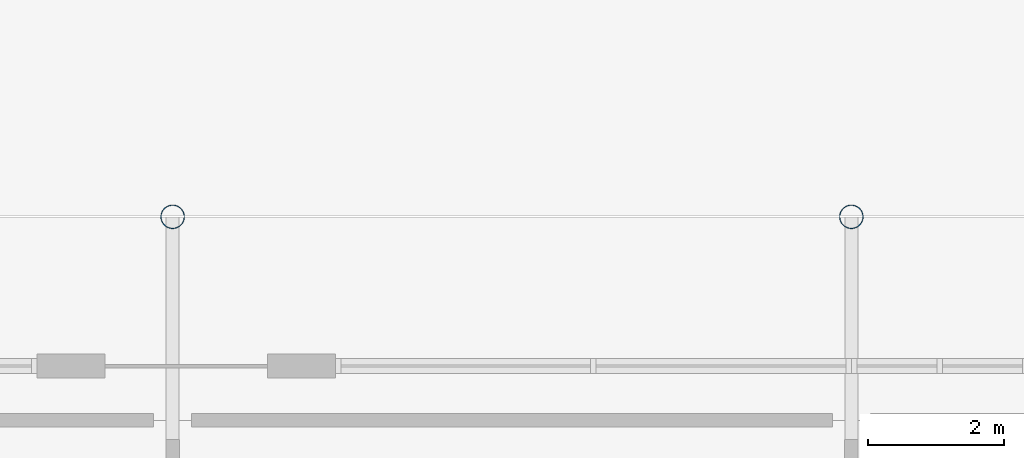
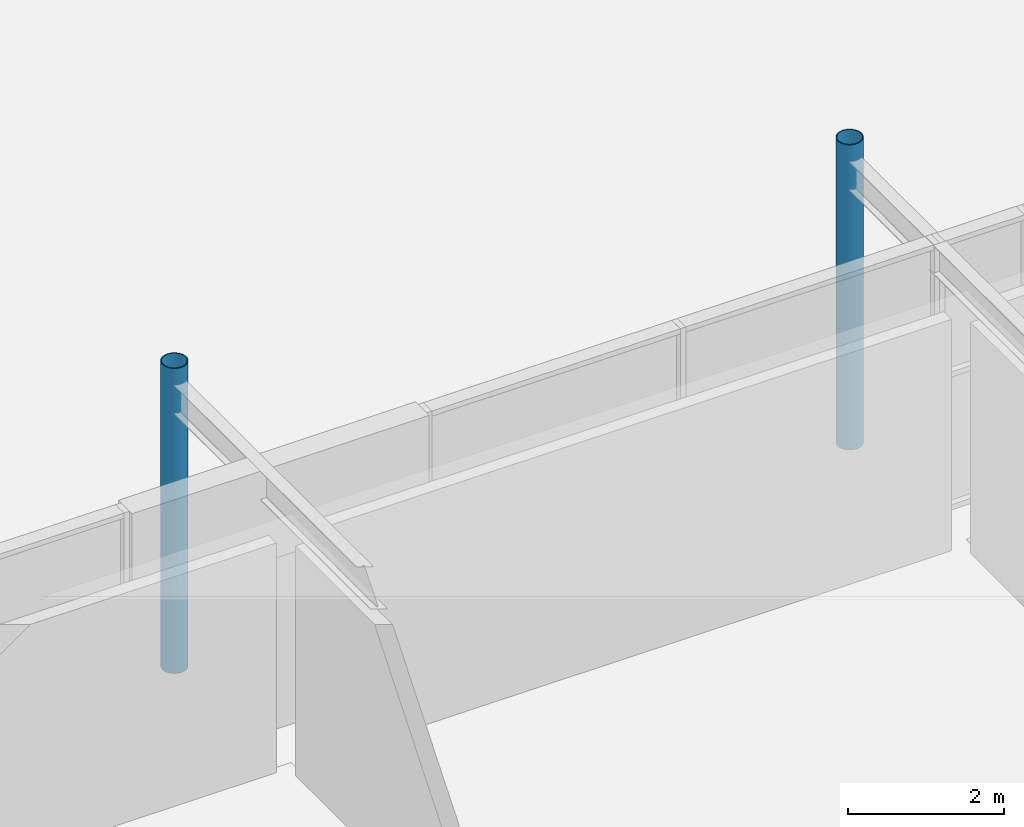
# One storey, part 19 of 119: 2 columns.
"""IFC4 building model written with IfcOpenShell, lengths in metres."""

from ifc_helpers import new_model, si_unit, derived_unit, direction, frame, origin, origin_2d_with_axis, place, context, subcontext, project, spatial, hollow_circle, extrude, material, material_profile, profile_set, type_object, element, save


model = new_model("IFC4")

# Units and contexts
model_context = context("Model", 3, precision=1e-05, world=origin(), true_north=direction((0.0, 1.0)))
body_context = subcontext(model_context, "Body", "Model", "MODEL_VIEW")
ifc_project = project(units=[si_unit("LENGTHUNIT", "METRE"), si_unit("AREAUNIT", "SQUARE_METRE"), si_unit("VOLUMEUNIT", "CUBIC_METRE"), si_unit("PLANEANGLEUNIT", "RADIAN"), si_unit("MASSUNIT", "GRAM", prefix="KILO"), derived_unit("THERMALTRANSMITTANCEUNIT", [(si_unit("POWERUNIT", "WATT"), 1), (si_unit("LENGTHUNIT", "METRE"), -2), (si_unit("THERMODYNAMICTEMPERATUREUNIT", "KELVIN"), -1)])], contexts=[model_context])

# Site, building, storey
site_placement = place(None, origin())
site = spatial("IfcSite", under=ifc_project, at=site_placement, CompositionType="ELEMENT")
building_placement = place(site_placement, origin())
building = spatial("IfcBuilding", under=site, at=building_placement, Name="Cinnabar Yard Market Hall", CompositionType="ELEMENT")
storey_placement = place(building_placement, origin())
storey = spatial("IfcBuildingStorey", under=building, at=storey_placement, Name="L00", CompositionType="ELEMENT", Elevation=0.0)

# Columns
ifc_material = material(Name="Spotted-gum glulam-clad steel Grade 350 (350 MPa)", Category="steel")
ifc_material_profile = material_profile(ifc_material, hollow_circle(Radius=0.177734375, WallThickness=0.0126953125, at=origin_2d_with_axis()), Name="355.6x12.7CHS")
ifc_profile_set = profile_set([ifc_material_profile], Name="Spotted-gum glulam-clad steel Grade 350 (350 MPa)")
column_type = type_object("IfcColumnType", Name="COL-C02E", PredefinedType="COLUMN", material=ifc_profile_set)
for number, where, z_axis, x_axis, name in (
    (1, (116.0, 74.0, -0.280029296875), (0.0, 0.0, 1.0), (1.0, 0.0, 0.0), "Tree Column V1N-04 L00"),
    (2, (126.0, 74.0, -0.280029296875), (0.0, 0.0, 1.0), (1.0, 0.0, 0.0), "Tree Column V1N-05 L00"),
):
    element("IfcColumn", number, at=place(storey_placement, frame(where, z_axis=z_axis, x_axis=x_axis)), inside=storey, type_object=column_type, Name=name, PredefinedType="COLUMN", context=body_context, shape_type="SweptSolid", body=[
        extrude(hollow_circle(Radius=0.177734375, WallThickness=0.0126953125, at=origin_2d_with_axis()), origin(), (0.0, 0.0, 1.0), 4.780029296875),
    ])

save(model, "model.ifc")
